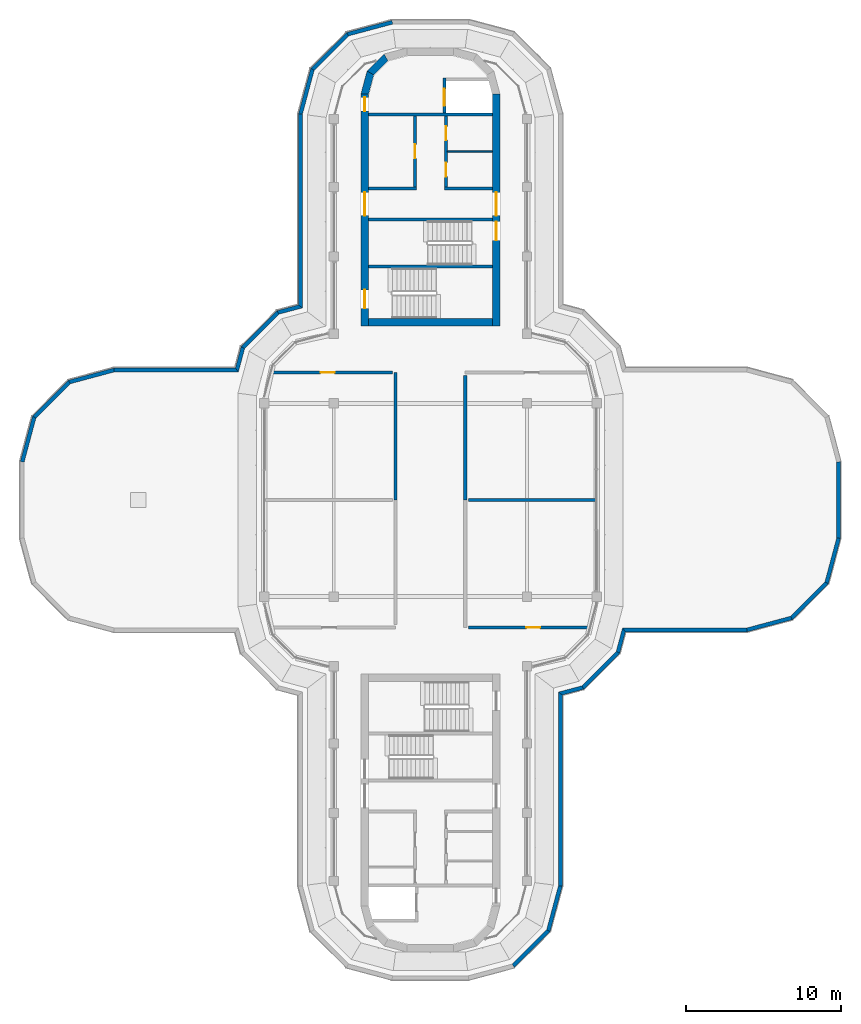
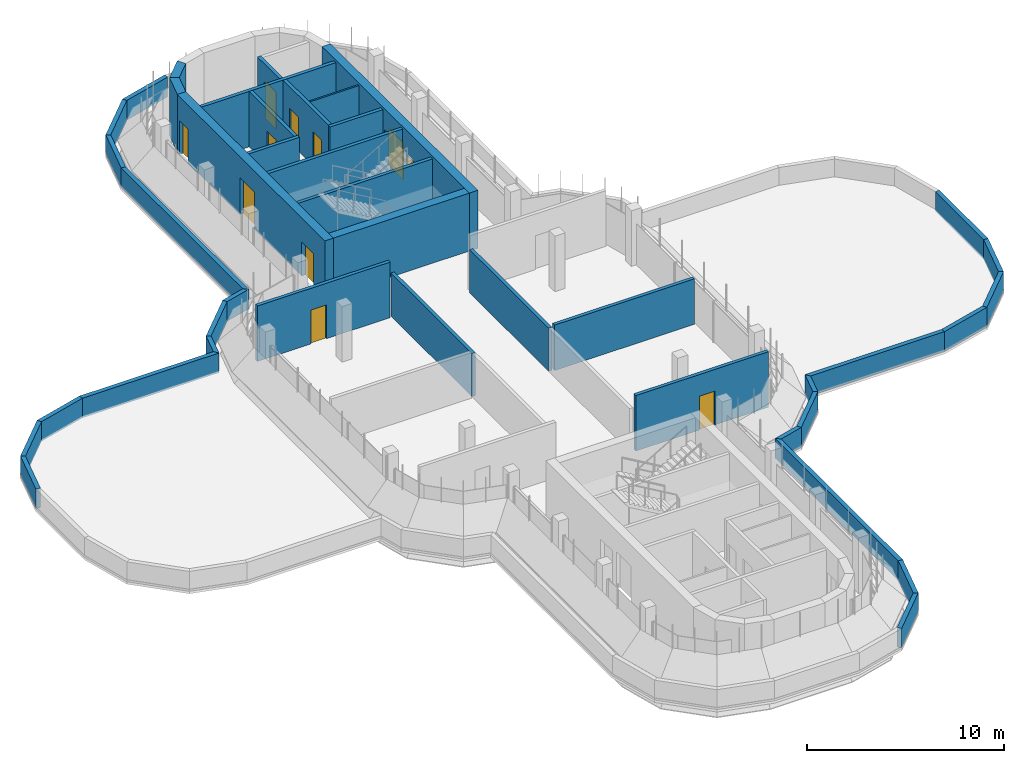
# One storey, part 9 of 13: 41 walls, 11 doors, 11 openings.
"""IFC4 building model written with IfcOpenShell, lengths in metres."""

from ifc_helpers import new_model, si_unit, direction, frame, frame_2d, origin, place, context, subcontext, project, spatial, polyline, rectangle, outline, extrude, material, layer, layer_set, type_object, element, fill, save


model = new_model("IFC4")

# Units and contexts
model_context = context("Model", 3, precision=1e-05, world=origin(), true_north=direction((0.0, 1.0)))
body_context = subcontext(model_context, "Body", "Model", "MODEL_VIEW")
ifc_project = project(units=[si_unit("LENGTHUNIT", "METRE"), si_unit("AREAUNIT", "SQUARE_METRE"), si_unit("VOLUMEUNIT", "CUBIC_METRE"), si_unit("PLANEANGLEUNIT", "RADIAN"), si_unit("MASSUNIT", "GRAM", prefix="KILO")], contexts=[model_context])

# Site, building, storey
site_placement = place(None, origin())
site = spatial("IfcSite", under=ifc_project, at=site_placement, CompositionType="ELEMENT")
building_placement = place(site_placement, origin())
building = spatial("IfcBuilding", under=site, at=building_placement, Name="Zarbagh Exchange Tower", CompositionType="ELEMENT")
storey_placement = place(building_placement, frame((0.0, 0.0, 298.800048828125)))
storey = spatial("IfcBuildingStorey", under=building, at=storey_placement, Name="L73", CompositionType="ELEMENT", Elevation=298.800048828125)

# Walls
ifc_material_1 = material(Name="Dense blockwork", Category="masonry")
ifc_layer_1 = layer(ifc_material_1, 0.10009765625)
ifc_layer_set_1 = layer_set([ifc_layer_1], Name="Core partition 100 mm blockwork")
wall_type_1 = type_object("IfcWallType", Name="Core partition 100 mm blockwork", PredefinedType="PARTITIONING", material=ifc_layer_set_1)
wall_1_placement = place(storey_placement, frame((1.10009765625, 22.550048828125, 0.0), z_axis=(0.0, 0.0, 1.0), x_axis=(1.0, 0.0, 0.0)))
element("IfcWall", 1, at=wall_1_placement, inside=storey, type_object=wall_type_1, Name="North core partition wall CUT-E-580", PredefinedType="PARTITIONING", context=body_context, shape_type="SweptSolid", body=[
    extrude(rectangle(XDim=2.89990234375, YDim=0.10009765625, at=frame_2d((1.449951171875, 0.0))), origin(), (0.0, 0.0, 1.0), 3.449951171875),
])
ifc_material_2 = material(Name="Concrete block partition", Category="concrete")
ifc_layer_2 = layer(ifc_material_2, 0.199951171875)
ifc_layer_set_2 = layer_set([ifc_layer_2], Name="Fire-rated block partition 200 EI 60")
wall_type_2 = type_object("IfcWallType", Name="Fire-rated block partition 200 EI 60", PredefinedType="PARTITIONING", material=ifc_layer_set_2)
wall_2_placement = place(storey_placement, frame((2.25, 8.050048828125, 0.0), z_axis=(0.0, 0.0, 1.0), x_axis=(0.0, -1.0, 0.0)))
element("IfcWall", 2, at=wall_2_placement, inside=storey, type_object=wall_type_2, Name="WL-L73-W002", PredefinedType="PARTITIONING", context=body_context, shape_type="SweptSolid", body=[
    extrude(rectangle(XDim=8.050048828125, YDim=0.199951171875, at=frame_2d((4.02490234375, 0.0))), origin(), (0.0, 0.0, 1.0), 2.6806640625),
])

# Wall, opening, door
wall_3_placement = place(storey_placement, frame((2.449951171875, -8.25, 0.0), z_axis=(0.0, 0.0, 1.0), x_axis=(1.0, 0.0, 0.0)))
wall_3 = element("IfcWall", 3, at=wall_3_placement, inside=storey, type_object=wall_type_2, Name="WL-L73-W004", PredefinedType="PARTITIONING", context=body_context, shape_type="SweptSolid", body=[
    extrude(rectangle(XDim=7.7880859375, YDim=0.199951171875, at=frame_2d((3.89404296875, 0.0))), origin(), (0.0, 0.0, 1.0), 3.449951171875),
])
opening_1_placement = place(wall_3_placement, frame((3.7490234375, 0.0, 0.0)))
opening_1 = element("IfcOpeningElement", 4, at=opening_1_placement, cuts=wall_3, Name="Opening D02", PredefinedType="OPENING", context=body_context, shape_type="SweptSolid", body=[
    extrude(rectangle(XDim=0.89990234375, YDim=2.10009765625, at=frame_2d((0.449951171875, 1.050048828125))), frame((0.0, 0.10986328125, 0.0), z_axis=(0.0, -1.0, 0.0), x_axis=(1.0, 0.0, 0.0)), (0.0, 0.0, 1.0), 0.219970703125),
])
ifc_material_3 = material(Name="Steel door set", Category="steel")
door_type_1 = type_object("IfcDoorType", Name="Door single 900x2100 EI 60", OperationType="SINGLE_SWING_LEFT", PredefinedType="DOOR", material=ifc_material_3)
door_1_placement = place(opening_1_placement, origin())
door_1 = element("IfcDoor", 5, at=door_1_placement, inside=storey, type_object=door_type_1, Name="D02", OperationType="SINGLE_SWING_LEFT", OverallHeight=2.10009765625, OverallWidth=0.89990234375, PredefinedType="DOOR", context=body_context, shape_type="SweptSolid", body=[
    extrude(rectangle(XDim=0.89990234375, YDim=2.10009765625, at=frame_2d((0.449951171875, 1.050048828125))), frame((0.0, 0.02490234375, 0.0), z_axis=(0.0, -1.0, 0.0), x_axis=(1.0, 0.0, 0.0)), (0.0, 0.0, 1.0), 0.050048828125),
])
fill(opening_1, door_1)

# Wall
wall_4_placement = place(storey_placement, frame((-2.25, 0.0, 0.0), z_axis=(0.0, 0.0, 1.0), x_axis=(0.0, 1.0, 0.0)))
element("IfcWall", 6, at=wall_4_placement, inside=storey, type_object=wall_type_2, Name="WL-L73-W005", PredefinedType="PARTITIONING", context=body_context, shape_type="SweptSolid", body=[
    extrude(rectangle(XDim=8.25, YDim=0.199951171875, at=frame_2d((4.125, 0.0))), origin(), (0.0, 0.0, 1.0), 2.6806640625),
])

# Wall, opening, door
wall_5_placement = place(storey_placement, frame((-2.449951171875, 8.25, 0.0), z_axis=(0.0, 0.0, 1.0), x_axis=(-1.0, 0.0, 0.0)))
wall_5 = element("IfcWall", 7, at=wall_5_placement, inside=storey, type_object=wall_type_2, Name="WL-L73-W006", PredefinedType="PARTITIONING", context=body_context, shape_type="SweptSolid", body=[
    extrude(rectangle(XDim=7.7880859375, YDim=0.199951171875, at=frame_2d((3.89404296875, 0.0))), origin(), (0.0, 0.0, 1.0), 3.449951171875),
])
opening_2_placement = place(wall_5_placement, frame((3.7490234375, 0.0, 0.0)))
opening_2 = element("IfcOpeningElement", 8, at=opening_2_placement, cuts=wall_5, Name="Opening D03", PredefinedType="OPENING", context=body_context, shape_type="SweptSolid", body=[
    extrude(rectangle(XDim=0.89990234375, YDim=2.10009765625, at=frame_2d((0.449951171875, 1.050048828125))), frame((0.0, 0.10986328125, 0.0), z_axis=(0.0, -1.0, 0.0), x_axis=(1.0, 0.0, 0.0)), (0.0, 0.0, 1.0), 0.219970703125),
])
door_2_placement = place(opening_2_placement, origin())
door_2 = element("IfcDoor", 9, at=door_2_placement, inside=storey, type_object=door_type_1, Name="D03", OperationType="SINGLE_SWING_LEFT", OverallHeight=2.10009765625, OverallWidth=0.89990234375, PredefinedType="DOOR", context=body_context, shape_type="SweptSolid", body=[
    extrude(rectangle(XDim=0.89990234375, YDim=2.10009765625, at=frame_2d((0.449951171875, 1.050048828125))), frame((0.0, 0.02490234375, 0.0), z_axis=(0.0, -1.0, 0.0), x_axis=(1.0, 0.0, 0.0)), (0.0, 0.0, 1.0), 0.050048828125),
])
fill(opening_2, door_2)

# Walls
wall_6_placement = place(storey_placement, frame((10.669921875, 0.0, 0.0), z_axis=(0.0, 0.0, 1.0), x_axis=(-1.0, 0.0, 0.0)))
element("IfcWall", 10, at=wall_6_placement, inside=storey, type_object=wall_type_2, Name="WL-L73-W009", PredefinedType="PARTITIONING", context=body_context, shape_type="SweptSolid", body=[
    extrude(rectangle(XDim=8.219970703125, YDim=0.199951171875, at=frame_2d((4.10986328125, 0.0))), origin(), (0.0, 0.0, 1.0), 2.827880859375),
])
ifc_material_4 = material(Name="Concrete C40/50", Category="concrete")
ifc_layer_3 = layer(ifc_material_4, 0.25)
ifc_layer_set_3 = layer_set([ifc_layer_3], Name="Parapet wall, concrete C40/50")
wall_type_3 = type_object("IfcWallType", Name="Parapet wall, concrete C40/50", PredefinedType="PARAPET", material=ifc_layer_set_3)
wall_7_placement = place(storey_placement, origin())
element("IfcWall", 11, at=wall_7_placement, inside=storey, type_object=wall_type_3, Name="roof parapet", PredefinedType="PARAPET", context=body_context, shape_type="SweptSolid", body=[
    extrude(outline(polyline([(-26.530029296875, 2.484375), (-25.742919921875, 5.42138671875), (-25.518798828125, 5.2919921875), (-26.280029296875, 2.451416015625), (-26.530029296875, 2.484375)])), origin(), (0.0, 0.0, 1.0), 1.219970703125),
])
wall_8_placement = place(storey_placement, origin())
element("IfcWall", 12, at=wall_8_placement, inside=storey, type_object=wall_type_3, Name="roof parapet", PredefinedType="PARAPET", context=body_context, shape_type="SweptSolid", body=[
    extrude(outline(polyline([(-25.742919921875, 5.42138671875), (-23.42138671875, 7.742919921875), (-23.2919921875, 7.518798828125), (-25.518798828125, 5.2919921875), (-25.742919921875, 5.42138671875)])), origin(), (0.0, 0.0, 1.0), 1.219970703125),
])
wall_9_placement = place(storey_placement, origin())
element("IfcWall", 13, at=wall_9_placement, inside=storey, type_object=wall_type_3, Name="roof parapet", PredefinedType="PARAPET", context=body_context, shape_type="SweptSolid", body=[
    extrude(outline(polyline([(-23.42138671875, 7.742919921875), (-20.484375, 8.530029296875), (-20.451416015625, 8.280029296875), (-23.2919921875, 7.518798828125), (-23.42138671875, 7.742919921875)])), origin(), (0.0, 0.0, 1.0), 1.219970703125),
])
wall_10_placement = place(storey_placement, origin())
element("IfcWall", 14, at=wall_10_placement, inside=storey, type_object=wall_type_3, Name="roof parapet", PredefinedType="PARAPET", context=body_context, shape_type="SweptSolid", body=[
    extrude(outline(polyline([(-20.484375, 8.530029296875), (-12.61572265625, 8.530029296875), (-12.424072265625, 8.280029296875), (-20.451416015625, 8.280029296875), (-20.484375, 8.530029296875)])), origin(), (0.0, 0.0, 1.0), 1.219970703125),
])
wall_11_placement = place(storey_placement, origin())
element("IfcWall", 15, at=wall_11_placement, inside=storey, type_object=wall_type_3, Name="roof parapet", PredefinedType="PARAPET", context=body_context, shape_type="SweptSolid", body=[
    extrude(outline(polyline([(-12.61572265625, 8.530029296875), (-12.242919921875, 9.92138671875), (-12.018798828125, 9.7919921875), (-12.424072265625, 8.280029296875), (-12.61572265625, 8.530029296875)])), origin(), (0.0, 0.0, 1.0), 1.219970703125),
])
wall_12_placement = place(storey_placement, origin())
element("IfcWall", 16, at=wall_12_placement, inside=storey, type_object=wall_type_3, Name="roof parapet", PredefinedType="PARAPET", context=body_context, shape_type="SweptSolid", body=[
    extrude(outline(polyline([(-12.242919921875, 9.92138671875), (-9.92138671875, 12.242919921875), (-9.7919921875, 12.018798828125), (-12.018798828125, 9.7919921875), (-12.242919921875, 9.92138671875)])), origin(), (0.0, 0.0, 1.0), 1.219970703125),
])
wall_13_placement = place(storey_placement, origin())
element("IfcWall", 17, at=wall_13_placement, inside=storey, type_object=wall_type_3, Name="roof parapet", PredefinedType="PARAPET", context=body_context, shape_type="SweptSolid", body=[
    extrude(outline(polyline([(-9.92138671875, 12.242919921875), (-8.530029296875, 12.61572265625), (-8.280029296875, 12.424072265625), (-9.7919921875, 12.018798828125), (-9.92138671875, 12.242919921875)])), origin(), (0.0, 0.0, 1.0), 1.219970703125),
])
wall_14_placement = place(storey_placement, origin())
element("IfcWall", 18, at=wall_14_placement, inside=storey, type_object=wall_type_3, Name="roof parapet", PredefinedType="PARAPET", context=body_context, shape_type="SweptSolid", body=[
    extrude(outline(polyline([(-8.530029296875, 12.61572265625), (-8.530029296875, 24.984375), (-8.280029296875, 24.951416015625), (-8.280029296875, 12.424072265625), (-8.530029296875, 12.61572265625)])), origin(), (0.0, 0.0, 1.0), 1.219970703125),
])
wall_15_placement = place(storey_placement, origin())
element("IfcWall", 19, at=wall_15_placement, inside=storey, type_object=wall_type_3, Name="roof parapet", PredefinedType="PARAPET", context=body_context, shape_type="SweptSolid", body=[
    extrude(outline(polyline([(-8.530029296875, 24.984375), (-7.742919921875, 27.92138671875), (-7.518798828125, 27.7919921875), (-8.280029296875, 24.951416015625), (-8.530029296875, 24.984375)])), origin(), (0.0, 0.0, 1.0), 1.219970703125),
])
wall_16_placement = place(storey_placement, origin())
element("IfcWall", 20, at=wall_16_placement, inside=storey, type_object=wall_type_3, Name="roof parapet", PredefinedType="PARAPET", context=body_context, shape_type="SweptSolid", body=[
    extrude(outline(polyline([(-7.742919921875, 27.92138671875), (-5.42138671875, 30.242919921875), (-5.2919921875, 30.018798828125), (-7.518798828125, 27.7919921875), (-7.742919921875, 27.92138671875)])), origin(), (0.0, 0.0, 1.0), 1.219970703125),
])
wall_17_placement = place(storey_placement, origin())
element("IfcWall", 21, at=wall_17_placement, inside=storey, type_object=wall_type_3, Name="roof parapet", PredefinedType="PARAPET", context=body_context, shape_type="SweptSolid", body=[
    extrude(outline(polyline([(-5.42138671875, 30.242919921875), (-2.484375, 31.030029296875), (-2.451416015625, 30.780029296875), (-5.2919921875, 30.018798828125), (-5.42138671875, 30.242919921875)])), origin(), (0.0, 0.0, 1.0), 1.219970703125),
])
wall_18_placement = place(storey_placement, origin())
element("IfcWall", 22, at=wall_18_placement, inside=storey, type_object=wall_type_3, Name="roof parapet", PredefinedType="PARAPET", context=body_context, shape_type="SweptSolid", body=[
    extrude(outline(polyline([(26.530029296875, 2.484375), (26.530029296875, -2.484375), (26.280029296875, -2.451416015625), (26.280029296875, 2.451416015625), (26.530029296875, 2.484375)])), origin(), (0.0, 0.0, 1.0), 1.219970703125),
])
wall_19_placement = place(storey_placement, origin())
element("IfcWall", 23, at=wall_19_placement, inside=storey, type_object=wall_type_3, Name="roof parapet", PredefinedType="PARAPET", context=body_context, shape_type="SweptSolid", body=[
    extrude(outline(polyline([(26.530029296875, -2.484375), (25.742919921875, -5.42138671875), (25.518798828125, -5.2919921875), (26.280029296875, -2.451416015625), (26.530029296875, -2.484375)])), origin(), (0.0, 0.0, 1.0), 1.219970703125),
])
wall_20_placement = place(storey_placement, origin())
element("IfcWall", 24, at=wall_20_placement, inside=storey, type_object=wall_type_3, Name="roof parapet", PredefinedType="PARAPET", context=body_context, shape_type="SweptSolid", body=[
    extrude(outline(polyline([(25.742919921875, -5.42138671875), (23.42138671875, -7.742919921875), (23.2919921875, -7.518798828125), (25.518798828125, -5.2919921875), (25.742919921875, -5.42138671875)])), origin(), (0.0, 0.0, 1.0), 1.219970703125),
])
wall_21_placement = place(storey_placement, origin())
element("IfcWall", 25, at=wall_21_placement, inside=storey, type_object=wall_type_3, Name="roof parapet", PredefinedType="PARAPET", context=body_context, shape_type="SweptSolid", body=[
    extrude(outline(polyline([(23.42138671875, -7.742919921875), (20.484375, -8.530029296875), (20.451416015625, -8.280029296875), (23.2919921875, -7.518798828125), (23.42138671875, -7.742919921875)])), origin(), (0.0, 0.0, 1.0), 1.219970703125),
])
wall_22_placement = place(storey_placement, origin())
element("IfcWall", 26, at=wall_22_placement, inside=storey, type_object=wall_type_3, Name="roof parapet", PredefinedType="PARAPET", context=body_context, shape_type="SweptSolid", body=[
    extrude(outline(polyline([(20.484375, -8.530029296875), (12.61572265625, -8.530029296875), (12.424072265625, -8.280029296875), (20.451416015625, -8.280029296875), (20.484375, -8.530029296875)])), origin(), (0.0, 0.0, 1.0), 1.219970703125),
])
wall_23_placement = place(storey_placement, origin())
element("IfcWall", 27, at=wall_23_placement, inside=storey, type_object=wall_type_3, Name="roof parapet", PredefinedType="PARAPET", context=body_context, shape_type="SweptSolid", body=[
    extrude(outline(polyline([(12.61572265625, -8.530029296875), (12.242919921875, -9.92138671875), (12.018798828125, -9.7919921875), (12.424072265625, -8.280029296875), (12.61572265625, -8.530029296875)])), origin(), (0.0, 0.0, 1.0), 1.219970703125),
])
wall_24_placement = place(storey_placement, origin())
element("IfcWall", 28, at=wall_24_placement, inside=storey, type_object=wall_type_3, Name="roof parapet", PredefinedType="PARAPET", context=body_context, shape_type="SweptSolid", body=[
    extrude(outline(polyline([(12.242919921875, -9.92138671875), (9.92138671875, -12.242919921875), (9.7919921875, -12.018798828125), (12.018798828125, -9.7919921875), (12.242919921875, -9.92138671875)])), origin(), (0.0, 0.0, 1.0), 1.219970703125),
])
wall_25_placement = place(storey_placement, origin())
element("IfcWall", 29, at=wall_25_placement, inside=storey, type_object=wall_type_3, Name="roof parapet", PredefinedType="PARAPET", context=body_context, shape_type="SweptSolid", body=[
    extrude(outline(polyline([(9.92138671875, -12.242919921875), (8.530029296875, -12.61572265625), (8.280029296875, -12.424072265625), (9.7919921875, -12.018798828125), (9.92138671875, -12.242919921875)])), origin(), (0.0, 0.0, 1.0), 1.219970703125),
])
wall_26_placement = place(storey_placement, origin())
element("IfcWall", 30, at=wall_26_placement, inside=storey, type_object=wall_type_3, Name="roof parapet", PredefinedType="PARAPET", context=body_context, shape_type="SweptSolid", body=[
    extrude(outline(polyline([(8.530029296875, -12.61572265625), (8.530029296875, -24.984375), (8.280029296875, -24.951416015625), (8.280029296875, -12.424072265625), (8.530029296875, -12.61572265625)])), origin(), (0.0, 0.0, 1.0), 1.219970703125),
])
wall_27_placement = place(storey_placement, origin())
element("IfcWall", 31, at=wall_27_placement, inside=storey, type_object=wall_type_3, Name="roof parapet", PredefinedType="PARAPET", context=body_context, shape_type="SweptSolid", body=[
    extrude(outline(polyline([(8.530029296875, -24.984375), (7.742919921875, -27.92138671875), (7.518798828125, -27.7919921875), (8.280029296875, -24.951416015625), (8.530029296875, -24.984375)])), origin(), (0.0, 0.0, 1.0), 1.219970703125),
])
wall_28_placement = place(storey_placement, origin())
element("IfcWall", 32, at=wall_28_placement, inside=storey, type_object=wall_type_3, Name="roof parapet", PredefinedType="PARAPET", context=body_context, shape_type="SweptSolid", body=[
    extrude(outline(polyline([(7.742919921875, -27.92138671875), (5.42138671875, -30.242919921875), (5.2919921875, -30.018798828125), (7.518798828125, -27.7919921875), (7.742919921875, -27.92138671875)])), origin(), (0.0, 0.0, 1.0), 1.219970703125),
])
ifc_layer_4 = layer(ifc_material_4, 0.5)
ifc_layer_set_4 = layer_set([ifc_layer_4], Name="RC core corner wall 500 C40/50")
wall_type_4 = type_object("IfcWallType", Name="RC core corner wall 500 C40/50", PredefinedType="SHEAR", material=ifc_layer_set_4)
wall_29_placement = place(storey_placement, origin())
element("IfcWall", 33, at=wall_29_placement, inside=storey, type_object=wall_type_4, Name="CW10 core N corner W", PredefinedType="SHEAR", context=body_context, shape_type="SweptSolid", body=[
    extrude(outline(polyline([(-4.5, 26.25), (-4.09814453125, 27.75), (-3.6650390625, 27.5), (-4.0, 26.25), (-4.5, 26.25)])), origin(), (0.0, 0.0, 1.0), 3.599853515625),
])
wall_30_placement = place(storey_placement, origin())
element("IfcWall", 34, at=wall_30_placement, inside=storey, type_object=wall_type_4, Name="CW10 core N corner W", PredefinedType="SHEAR", context=body_context, shape_type="SweptSolid", body=[
    extrude(outline(polyline([(-4.09814453125, 27.75), (-3.0, 28.84814453125), (-2.75, 28.4150390625), (-3.6650390625, 27.5), (-4.09814453125, 27.75)])), origin(), (0.0, 0.0, 1.0), 3.599853515625),
])

# Wall, openings, doors
ifc_layer_5 = layer(ifc_material_4, 0.5)
ifc_layer_set_5 = layer_set([ifc_layer_5], Name="RC core wall 500 C40/50")
wall_type_5 = type_object("IfcWallType", Name="RC core wall 500 C40/50", PredefinedType="SHEAR", material=ifc_layer_set_5)
wall_31_placement = place(storey_placement, frame((-4.25, 11.25, 0.0), z_axis=(0.0, 0.0, 1.0), x_axis=(0.0, 1.0, 0.0)))
wall_31 = element("IfcWall", 35, at=wall_31_placement, inside=storey, type_object=wall_type_5, Name="CW9 core N W", PredefinedType="SHEAR", context=body_context, shape_type="SweptSolid", body=[
    extrude(rectangle(XDim=15.0, YDim=0.5, at=frame_2d((7.5, 0.0))), origin(), (0.0, 0.0, 1.0), 3.599853515625),
])
opening_3_placement = place(wall_31_placement, frame((7.14990234375, 0.0, 0.0)))
opening_3 = element("IfcOpeningElement", 36, at=opening_3_placement, cuts=wall_31, Name="Opening CD1-1500", PredefinedType="OPENING", context=body_context, shape_type="SweptSolid", body=[
    extrude(rectangle(XDim=1.5, YDim=2.300048828125, at=frame_2d((0.75, 1.14990234375))), frame((0.0, 0.260009765625, 0.0), z_axis=(0.0, -1.0, 0.0), x_axis=(1.0, 0.0, 0.0)), (0.0, 0.0, 1.0), 0.52001953125),
])
opening_4_placement = place(wall_31_placement, frame((13.89990234375, 0.0, 0.0)))
opening_4 = element("IfcOpeningElement", 37, at=opening_4_placement, cuts=wall_31, Name="Opening CD2-900", PredefinedType="OPENING", context=body_context, shape_type="SweptSolid", body=[
    extrude(rectangle(XDim=0.89990234375, YDim=2.10009765625, at=frame_2d((0.449951171875, 1.050048828125))), frame((0.0, 0.260009765625, 0.0), z_axis=(0.0, -1.0, 0.0), x_axis=(1.0, 0.0, 0.0)), (0.0, 0.0, 1.0), 0.52001953125),
])
opening_5_placement = place(wall_31_placement, frame((1.14990234375, 0.0, 0.0)))
opening_5 = element("IfcOpeningElement", 38, at=opening_5_placement, cuts=wall_31, Name="Opening SD1-1200", PredefinedType="OPENING", context=body_context, shape_type="SweptSolid", body=[
    extrude(rectangle(XDim=1.199951171875, YDim=2.10009765625, at=frame_2d((0.60009765625, 1.050048828125))), frame((0.0, 0.260009765625, 0.0), z_axis=(0.0, -1.0, 0.0), x_axis=(1.0, 0.0, 0.0)), (0.0, 0.0, 1.0), 0.52001953125),
])
ifc_material_5 = material(Name="Steel", Category="steel")
door_type_2 = type_object("IfcDoorType", Name="Exit stair door 1200 x 2100", OperationType="NOTDEFINED", PredefinedType="DOOR", material=ifc_material_5)
door_3_placement = place(opening_5_placement, origin())
door_3 = element("IfcDoor", 39, at=door_3_placement, inside=storey, type_object=door_type_2, Name="North core stair door ST2", OperationType="SINGLE_SWING_LEFT", OverallHeight=2.10009765625, OverallWidth=1.199951171875, PredefinedType="DOOR", context=body_context, shape_type="SweptSolid", body=[
    extrude(rectangle(XDim=1.199951171875, YDim=2.10009765625, at=frame_2d((0.60009765625, 1.050048828125))), frame((0.0, 0.02490234375, 0.0), z_axis=(0.0, -1.0, 0.0), x_axis=(1.0, 0.0, 0.0)), (0.0, 0.0, 1.0), 0.050048828125),
])
fill(opening_5, door_3)
door_type_3 = type_object("IfcDoorType", Name="Firefighting lobby door 900 x 2100", OperationType="NOTDEFINED", PredefinedType="DOOR", material=ifc_material_5)
door_4_placement = place(opening_4_placement, origin())
door_4 = element("IfcDoor", 40, at=door_4_placement, inside=storey, type_object=door_type_3, Name="North core firefighting lobby door FF-W", OperationType="SINGLE_SWING_LEFT", OverallHeight=2.10009765625, OverallWidth=0.89990234375, PredefinedType="DOOR", context=body_context, shape_type="SweptSolid", body=[
    extrude(rectangle(XDim=0.89990234375, YDim=2.10009765625, at=frame_2d((0.449951171875, 1.050048828125))), frame((0.0, 0.02490234375, 0.0), z_axis=(0.0, -1.0, 0.0), x_axis=(1.0, 0.0, 0.0)), (0.0, 0.0, 1.0), 0.050048828125),
])
fill(opening_4, door_4)
door_type_4 = type_object("IfcDoorType", Name="Lift lobby double door 1500 x 2300", OperationType="NOTDEFINED", PredefinedType="DOOR", material=ifc_material_5)
door_5_placement = place(opening_3_placement, origin())
door_5 = element("IfcDoor", 41, at=door_5_placement, inside=storey, type_object=door_type_4, Name="North core lift lobby door LOBBY-W", OperationType="DOUBLE_DOOR_SINGLE_SWING", OverallHeight=2.300048828125, OverallWidth=1.5, PredefinedType="DOOR", context=body_context, shape_type="SweptSolid", body=[
    extrude(rectangle(XDim=1.5, YDim=2.300048828125, at=frame_2d((0.75, 1.14990234375))), frame((0.0, 0.02490234375, 0.0), z_axis=(0.0, -1.0, 0.0), x_axis=(1.0, 0.0, 0.0)), (0.0, 0.0, 1.0), 0.050048828125),
])
fill(opening_3, door_5)

wall_32_placement = place(storey_placement, frame((4.25, 11.25, 0.0), z_axis=(0.0, 0.0, 1.0), x_axis=(0.0, 1.0, 0.0)))
wall_32 = element("IfcWall", 42, at=wall_32_placement, inside=storey, type_object=wall_type_5, Name="CW9 core N E", PredefinedType="SHEAR", context=body_context, shape_type="SweptSolid", body=[
    extrude(rectangle(XDim=15.0, YDim=0.5, at=frame_2d((7.5, 0.0))), origin(), (0.0, 0.0, 1.0), 3.599853515625),
])
opening_6_placement = place(wall_32_placement, frame((7.14990234375, 0.0, 0.0)))
opening_6 = element("IfcOpeningElement", 43, at=opening_6_placement, cuts=wall_32, Name="Opening CD1-1500", PredefinedType="OPENING", context=body_context, shape_type="SweptSolid", body=[
    extrude(rectangle(XDim=1.5, YDim=2.300048828125, at=frame_2d((0.75, 1.14990234375))), frame((0.0, 0.260009765625, 0.0), z_axis=(0.0, -1.0, 0.0), x_axis=(1.0, 0.0, 0.0)), (0.0, 0.0, 1.0), 0.52001953125),
])
opening_7_placement = place(wall_32_placement, frame((5.550048828125, 0.0, 0.0)))
opening_7 = element("IfcOpeningElement", 44, at=opening_7_placement, cuts=wall_32, Name="Opening SD1-1200", PredefinedType="OPENING", context=body_context, shape_type="SweptSolid", body=[
    extrude(rectangle(XDim=1.199951171875, YDim=2.10009765625, at=frame_2d((0.60009765625, 1.050048828125))), frame((0.0, 0.260009765625, 0.0), z_axis=(0.0, -1.0, 0.0), x_axis=(1.0, 0.0, 0.0)), (0.0, 0.0, 1.0), 0.52001953125),
])
door_6_placement = place(opening_7_placement, origin())
door_6 = element("IfcDoor", 45, at=door_6_placement, inside=storey, type_object=door_type_2, Name="North core stair door ST1", OperationType="SINGLE_SWING_LEFT", OverallHeight=2.10009765625, OverallWidth=1.199951171875, PredefinedType="DOOR", context=body_context, shape_type="SweptSolid", body=[
    extrude(rectangle(XDim=1.199951171875, YDim=2.10009765625, at=frame_2d((0.60009765625, 1.050048828125))), frame((0.0, 0.02490234375, 0.0), z_axis=(0.0, -1.0, 0.0), x_axis=(1.0, 0.0, 0.0)), (0.0, 0.0, 1.0), 0.050048828125),
])
fill(opening_7, door_6)
door_7_placement = place(opening_6_placement, origin())
door_7 = element("IfcDoor", 46, at=door_7_placement, inside=storey, type_object=door_type_4, Name="North core lift lobby door LOBBY-E", OperationType="DOUBLE_DOOR_SINGLE_SWING", OverallHeight=2.300048828125, OverallWidth=1.5, PredefinedType="DOOR", context=body_context, shape_type="SweptSolid", body=[
    extrude(rectangle(XDim=1.5, YDim=2.300048828125, at=frame_2d((0.75, 1.14990234375))), frame((0.0, 0.02490234375, 0.0), z_axis=(0.0, -1.0, 0.0), x_axis=(1.0, 0.0, 0.0)), (0.0, 0.0, 1.0), 0.050048828125),
])
fill(opening_6, door_7)

# Walls
wall_33_placement = place(storey_placement, frame((-4.0, 11.5, 0.0), z_axis=(0.0, 0.0, 1.0), x_axis=(1.0, 0.0, 0.0)))
element("IfcWall", 47, at=wall_33_placement, inside=storey, type_object=wall_type_5, Name="CW9 core N inner end", PredefinedType="SHEAR", context=body_context, shape_type="SweptSolid", body=[
    extrude(rectangle(XDim=8.0, YDim=0.5, at=frame_2d((4.0, 0.0))), origin(), (0.0, 0.0, 1.0), 3.599853515625),
])
ifc_layer_6 = layer(ifc_material_1, 0.199951171875)
ifc_layer_set_6 = layer_set([ifc_layer_6], Name="Shaft wall 200 mm blockwork")
wall_type_6 = type_object("IfcWallType", Name="Shaft wall 200 mm blockwork", PredefinedType="PARTITIONING", material=ifc_layer_set_6)
wall_34_placement = place(storey_placement, frame((-4.0, 20.14990234375, 0.0), z_axis=(0.0, 0.0, 1.0), x_axis=(1.0, 0.0, 0.0)))
element("IfcWall", 48, at=wall_34_placement, inside=storey, type_object=wall_type_6, Name="North core shaft wall AB-W", PredefinedType="PARTITIONING", context=body_context, shape_type="SweptSolid", body=[
    extrude(rectangle(XDim=3.10009765625, YDim=0.199951171875, at=frame_2d((1.550048828125, 0.0))), origin(), (0.0, 0.0, 1.0), 3.449951171875),
])

# Wall, opening, door
wall_35_placement = place(storey_placement, frame((-1.0, 24.85009765625, 0.0), z_axis=(0.0, 0.0, 1.0), x_axis=(0.0, -1.0, 0.0)))
wall_35 = element("IfcWall", 49, at=wall_35_placement, inside=storey, type_object=wall_type_6, Name="North core shaft wall LW-W", PredefinedType="PARTITIONING", context=body_context, shape_type="SweptSolid", body=[
    extrude(rectangle(XDim=4.60009765625, YDim=0.199951171875, at=frame_2d((2.300048828125, 0.0))), origin(), (0.0, 0.0, 1.0), 3.449951171875),
])
opening_8_placement = place(wall_35_placement, frame((1.85009765625, 0.0, 0.0)))
opening_8 = element("IfcOpeningElement", 50, at=opening_8_placement, cuts=wall_35, Name="Opening CD3-900", PredefinedType="OPENING", context=body_context, shape_type="SweptSolid", body=[
    extrude(rectangle(XDim=0.89990234375, YDim=2.10009765625, at=frame_2d((0.449951171875, 1.050048828125))), frame((0.0, 0.10986328125, 0.0), z_axis=(0.0, -1.0, 0.0), x_axis=(1.0, 0.0, 0.0)), (0.0, 0.0, 1.0), 0.219970703125),
])
door_type_5 = type_object("IfcDoorType", Name="Core room door 900 x 2100", OperationType="NOTDEFINED", PredefinedType="DOOR", material=ifc_material_5)
door_8_placement = place(opening_8_placement, origin())
door_8 = element("IfcDoor", 51, at=door_8_placement, inside=storey, type_object=door_type_5, Name="North core Plant room door RD-W-0", OperationType="SINGLE_SWING_LEFT", OverallHeight=2.10009765625, OverallWidth=0.89990234375, PredefinedType="DOOR", context=body_context, shape_type="SweptSolid", body=[
    extrude(rectangle(XDim=0.89990234375, YDim=2.10009765625, at=frame_2d((0.449951171875, 1.050048828125))), frame((0.0, 0.02490234375, 0.0), z_axis=(0.0, -1.0, 0.0), x_axis=(1.0, 0.0, 0.0)), (0.0, 0.0, 1.0), 0.050048828125),
])
fill(opening_8, door_8)

# Wall
wall_36_placement = place(storey_placement, frame((0.89990234375, 20.14990234375, 0.0), z_axis=(0.0, 0.0, 1.0), x_axis=(1.0, 0.0, 0.0)))
element("IfcWall", 52, at=wall_36_placement, inside=storey, type_object=wall_type_6, Name="North core shaft wall AB-E", PredefinedType="PARTITIONING", context=body_context, shape_type="SweptSolid", body=[
    extrude(rectangle(XDim=3.10009765625, YDim=0.199951171875, at=frame_2d((1.550048828125, 0.0))), origin(), (0.0, 0.0, 1.0), 3.449951171875),
])

# Wall, openings, doors
wall_37_placement = place(storey_placement, frame((1.0, 24.85009765625, 0.0), z_axis=(0.0, 0.0, 1.0), x_axis=(0.0, -1.0, 0.0)))
wall_37 = element("IfcWall", 53, at=wall_37_placement, inside=storey, type_object=wall_type_6, Name="North core shaft wall LW-E", PredefinedType="PARTITIONING", context=body_context, shape_type="SweptSolid", body=[
    extrude(rectangle(XDim=4.60009765625, YDim=0.199951171875, at=frame_2d((2.300048828125, 0.0))), origin(), (0.0, 0.0, 1.0), 3.449951171875),
])
opening_9_placement = place(wall_37_placement, frame((0.675048828125, 0.0, 0.0)))
opening_9 = element("IfcOpeningElement", 54, at=opening_9_placement, cuts=wall_37, Name="Opening CD3-900", PredefinedType="OPENING", context=body_context, shape_type="SweptSolid", body=[
    extrude(rectangle(XDim=0.89990234375, YDim=2.10009765625, at=frame_2d((0.449951171875, 1.050048828125))), frame((0.0, 0.10986328125, 0.0), z_axis=(0.0, -1.0, 0.0), x_axis=(1.0, 0.0, 0.0)), (0.0, 0.0, 1.0), 0.219970703125),
])
opening_10_placement = place(wall_37_placement, frame((3.02490234375, 0.0, 0.0)))
opening_10 = element("IfcOpeningElement", 55, at=opening_10_placement, cuts=wall_37, Name="Opening CD3-900", PredefinedType="OPENING", context=body_context, shape_type="SweptSolid", body=[
    extrude(rectangle(XDim=0.89990234375, YDim=2.10009765625, at=frame_2d((0.449951171875, 1.050048828125))), frame((0.0, 0.10986328125, 0.0), z_axis=(0.0, -1.0, 0.0), x_axis=(1.0, 0.0, 0.0)), (0.0, 0.0, 1.0), 0.219970703125),
])
door_9_placement = place(opening_9_placement, origin())
door_9 = element("IfcDoor", 56, at=door_9_placement, inside=storey, type_object=door_type_5, Name="North core Plant room door RD-E-0", OperationType="SINGLE_SWING_RIGHT", OverallHeight=2.10009765625, OverallWidth=0.89990234375, PredefinedType="DOOR", context=body_context, shape_type="SweptSolid", body=[
    extrude(rectangle(XDim=0.89990234375, YDim=2.10009765625, at=frame_2d((0.449951171875, 1.050048828125))), frame((0.0, 0.02490234375, 0.0), z_axis=(0.0, -1.0, 0.0), x_axis=(1.0, 0.0, 0.0)), (0.0, 0.0, 1.0), 0.050048828125),
])
fill(opening_9, door_9)
door_10_placement = place(opening_10_placement, origin())
door_10 = element("IfcDoor", 57, at=door_10_placement, inside=storey, type_object=door_type_5, Name="North core Switch room door RD-E-1", OperationType="SINGLE_SWING_RIGHT", OverallHeight=2.10009765625, OverallWidth=0.89990234375, PredefinedType="DOOR", context=body_context, shape_type="SweptSolid", body=[
    extrude(rectangle(XDim=0.89990234375, YDim=2.10009765625, at=frame_2d((0.449951171875, 1.050048828125))), frame((0.0, 0.02490234375, 0.0), z_axis=(0.0, -1.0, 0.0), x_axis=(1.0, 0.0, 0.0)), (0.0, 0.0, 1.0), 0.050048828125),
])
fill(opening_10, door_10)

# Wall
ifc_layer_7 = layer(ifc_material_4, 0.199951171875)
ifc_layer_set_7 = layer_set([ifc_layer_7], Name="Stair enclosure wall 200 mm RC C40/50")
wall_type_7 = type_object("IfcWallType", Name="Stair enclosure wall 200 mm RC C40/50", PredefinedType="SHEAR", material=ifc_layer_set_7)
wall_38_placement = place(storey_placement, frame((-4.0, 24.949951171875, 0.0), z_axis=(0.0, 0.0, 1.0), x_axis=(1.0, 0.0, 0.0)))
element("IfcWall", 58, at=wall_38_placement, inside=storey, type_object=wall_type_7, Name="North core lift shaft wall FFA", PredefinedType="SHEAR", context=body_context, shape_type="SweptSolid", body=[
    extrude(rectangle(XDim=8.0, YDim=0.199951171875, at=frame_2d((4.0, 0.0))), origin(), (0.0, 0.0, 1.0), 3.449951171875),
])

# Wall, opening, door
wall_39_placement = place(storey_placement, frame((0.89990234375, 27.300048828125, 0.0), z_axis=(0.0, 0.0, 1.0), x_axis=(0.0, -1.0, 0.0)))
wall_39 = element("IfcWall", 59, at=wall_39_placement, inside=storey, type_object=wall_type_7, Name="North core lift shaft wall FFL", PredefinedType="SHEAR", context=body_context, shape_type="SweptSolid", body=[
    extrude(rectangle(XDim=2.25, YDim=0.199951171875, at=frame_2d((1.125, 0.0))), origin(), (0.0, 0.0, 1.0), 3.449951171875),
])
opening_11_placement = place(wall_39_placement, frame((0.699951171875, 0.0, 0.0)))
opening_11 = element("IfcOpeningElement", 60, at=opening_11_placement, cuts=wall_39, Name="Opening LD-1100", PredefinedType="OPENING", context=body_context, shape_type="SweptSolid", body=[
    extrude(rectangle(XDim=1.10009765625, YDim=2.300048828125, at=frame_2d((0.550048828125, 1.14990234375))), frame((0.0, 0.10986328125, 0.0), z_axis=(0.0, -1.0, 0.0), x_axis=(1.0, 0.0, 0.0)), (0.0, 0.0, 1.0), 0.219970703125),
])
ifc_material_6 = material(Name="Stainless steel", Category="steel")
door_type_6 = type_object("IfcDoorType", Name="Lift landing door 1100 x 2300", OperationType="NOTDEFINED", PredefinedType="DOOR", material=ifc_material_6)
door_11_placement = place(opening_11_placement, origin())
door_11 = element("IfcDoor", 61, at=door_11_placement, inside=storey, type_object=door_type_6, Name="North core lift landing door LD-F", OperationType="DOUBLE_DOOR_SLIDING", OverallHeight=2.300048828125, OverallWidth=1.10009765625, PredefinedType="DOOR", context=body_context, shape_type="SweptSolid", body=[
    extrude(rectangle(XDim=1.10009765625, YDim=2.300048828125, at=frame_2d((0.550048828125, 1.14990234375))), frame((0.0, 0.02490234375, 0.0), z_axis=(0.0, -1.0, 0.0), x_axis=(1.0, 0.0, 0.0)), (0.0, 0.0, 1.0), 0.050048828125),
])
fill(opening_11, door_11)

# Walls
for number, where, z_axis, x_axis, name in (
    (62, (-4.0, 18.14990234375, 0.0), (0.0, 0.0, 1.0), (1.0, 0.0, 0.0), "North core stair wall BS"),
    (63, (-4.0, 15.10009765625, 0.0), (0.0, 0.0, 1.0), (1.0, 0.0, 0.0), "North core stair wall ST12"),
):
    element("IfcWall", number, at=place(storey_placement, frame(where, z_axis=z_axis, x_axis=x_axis)), inside=storey, type_object=wall_type_7, Name=name, PredefinedType="SHEAR", context=body_context, shape_type="SweptSolid", body=[
        extrude(rectangle(XDim=8.0, YDim=0.199951171875, at=frame_2d((4.0, 0.0))), origin(), (0.0, 0.0, 1.0), 3.449951171875),
    ])

save(model, "model.ifc")
